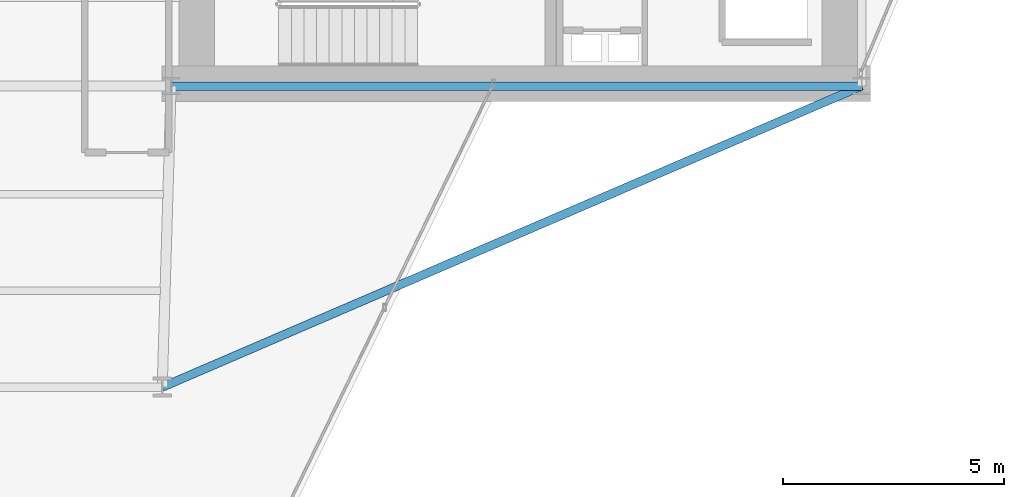
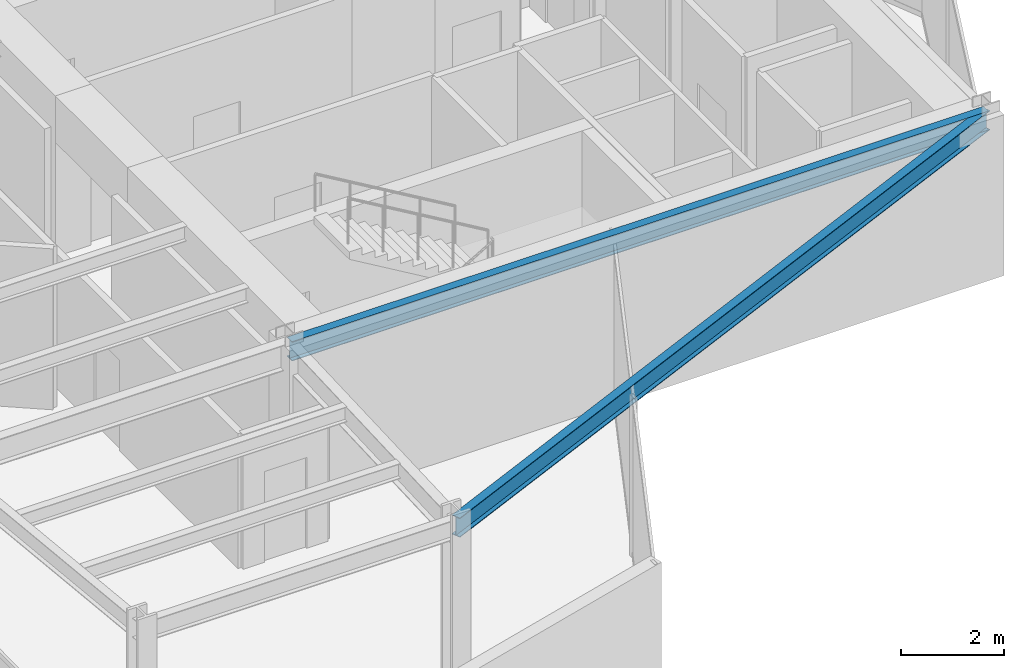
# One storey, part 12 of 25: 2 beams.
"""IFC4 building model written with IfcOpenShell, lengths in metres."""

from ifc_helpers import new_model, si_unit, direction, frame, origin, origin_2d, place, context, subcontext, project, spatial, i_section, extrude, material, material_profile, profile_set, type_object, element, save


model = new_model("IFC4")

# Units and contexts
model_context = context("Model", 3, precision=1e-05, world=origin(), true_north=direction((0.0, 1.0)))
body_context = subcontext(model_context, "Body", "Model", "MODEL_VIEW")
ifc_project = project(units=[si_unit("LENGTHUNIT", "METRE"), si_unit("AREAUNIT", "SQUARE_METRE"), si_unit("VOLUMEUNIT", "CUBIC_METRE"), si_unit("PLANEANGLEUNIT", "RADIAN"), si_unit("MASSUNIT", "GRAM", prefix="KILO")], contexts=[model_context])

# Site, building, storey
site_placement = place(None, origin())
site = spatial("IfcSite", under=ifc_project, at=site_placement, CompositionType="ELEMENT")
building_placement = place(site_placement, origin())
building = spatial("IfcBuilding", under=site, at=building_placement, Name="Veymaron Broadcast Tower", CompositionType="ELEMENT")
storey_placement = place(building_placement, frame((0.0, 0.0, 116.85009765625)))
storey = spatial("IfcBuildingStorey", under=building, at=storey_placement, Name="L26", CompositionType="ELEMENT", Elevation=116.85009765625)

# Beams
ifc_material = material(Name="Structural steel ASTM A992 Gr 50", Category="steel")
ifc_material_profile = material_profile(ifc_material, i_section(OverallWidth=0.19091796875, OverallDepth=0.4599609375, WebThickness=0.010009765625, FlangeThickness=0.01611328125, at=origin_2d()), Name="W460X82")
ifc_profile_set = profile_set([ifc_material_profile], Name="Structural steel ASTM A992 Gr 50")
beam_type = type_object("IfcBeamType", Name="BM-SP1", PredefinedType="SPANDREL", material=ifc_profile_set)
beam_1_placement = place(storey_placement, frame((39.0, 16.0, 3.579833984375), z_axis=(1.0, 0.0, 0.0), x_axis=(0.0, 1.0, 0.0)))
element("IfcBeam", 1, at=beam_1_placement, inside=storey, type_object=beam_type, Name="L26 primary structural floor girder", PredefinedType="SPANDREL", context=body_context, shape_type="SweptSolid", body=[
    extrude(i_section(OverallWidth=0.19091796875, OverallDepth=0.4599609375, WebThickness=0.010009765625, FlangeThickness=0.01611328125, at=origin_2d()), origin(), (0.0, 0.0, 1.0), 15.60009765625),
])
beam_2_placement = place(storey_placement, frame((54.60009765625, 16.0, 3.579833984375), z_axis=(-0.918541968862, -0.395323476964, 0.0), x_axis=(0.395323476964, -0.918541968862, 0.0)))
element("IfcBeam", 2, at=beam_2_placement, inside=storey, type_object=beam_type, Name="L26 primary structural floor girder", PredefinedType="SPANDREL", context=body_context, shape_type="SweptSolid", body=[
    extrude(i_section(OverallWidth=0.19091796875, OverallDepth=0.4599609375, WebThickness=0.010009765625, FlangeThickness=0.01611328125, at=origin_2d()), origin(), (0.0, 0.0, 1.0), 17.201171875),
])

save(model, "model.ifc")
